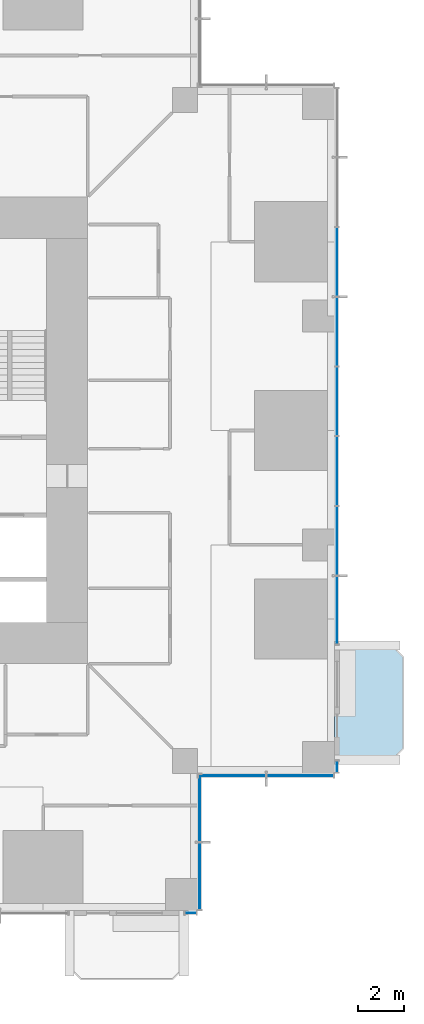
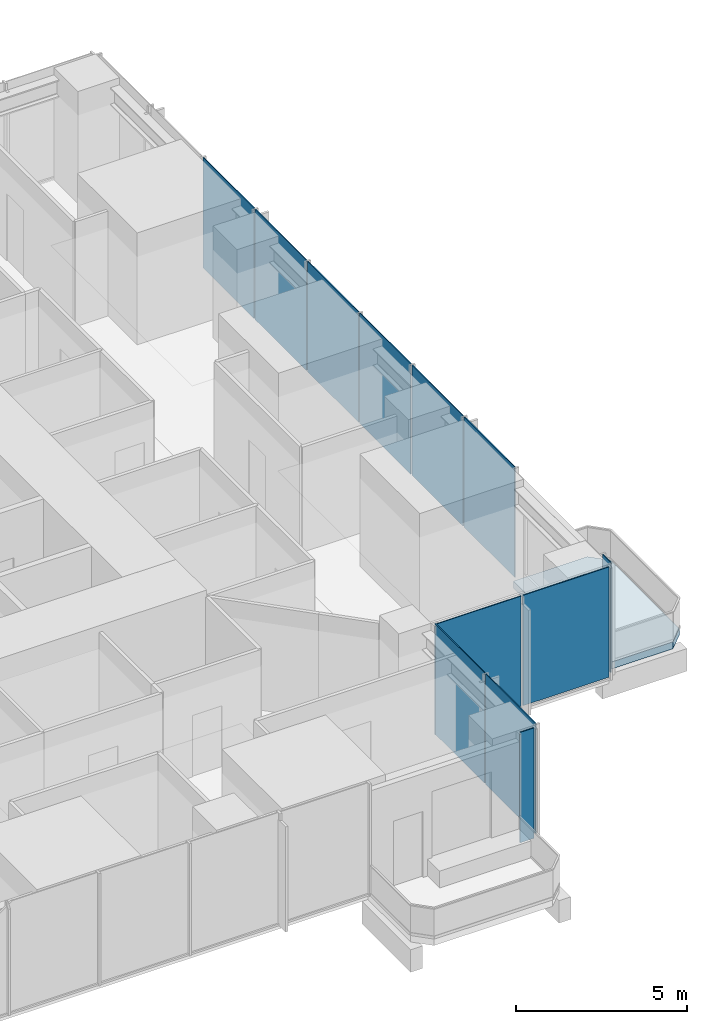
# One storey, part 8 of 16: 12 plates, 1 slab, 5 elements without a shape of their own.
"""IFC4 building model written with IfcOpenShell, lengths in metres."""

from ifc_helpers import new_model, si_unit, direction, frame, origin, origin_2d, place, context, subcontext, project, spatial, polyline, rectangle, outline, extrude, material, layer, layer_set, type_object, element, aggregate, save


model = new_model("IFC4")

# Units and contexts
model_context = context("Model", 3, precision=1e-05, world=origin(), true_north=direction((0.0, 1.0)))
body_context = subcontext(model_context, "Body", "Model", "MODEL_VIEW")
ifc_project = project(units=[si_unit("LENGTHUNIT", "METRE"), si_unit("AREAUNIT", "SQUARE_METRE"), si_unit("VOLUMEUNIT", "CUBIC_METRE"), si_unit("PLANEANGLEUNIT", "RADIAN"), si_unit("MASSUNIT", "GRAM", prefix="KILO")], contexts=[model_context])

# Site, building, storey
site_placement = place(None, origin())
site = spatial("IfcSite", under=ifc_project, at=site_placement, CompositionType="ELEMENT")
building_placement = place(site_placement, origin())
building = spatial("IfcBuilding", under=site, at=building_placement, Name="Svetlomir Tower", CompositionType="ELEMENT")
storey_placement = place(building_placement, frame((0.0, 0.0, 58.5)))
storey = spatial("IfcBuildingStorey", under=building, at=storey_placement, Name="L13", CompositionType="ELEMENT", Elevation=58.5)

# Slab
ifc_material_1 = material(Name="Concrete C60/75", Category="concrete")
ifc_layer_1 = layer(ifc_material_1, 0.25)
ifc_layer_set_1 = layer_set([ifc_layer_1], Name="Concrete C60/75")
slab_type = type_object("IfcSlabType", Name="BALCONY SLAB 250", PredefinedType="FLOOR", material=ifc_layer_set_1)
slab_placement = place(storey_placement, frame((0.0, 0.0, -0.25)))
element("IfcSlab", 1, at=slab_placement, inside=storey, type_object=slab_type, Name="L13 E planted balcony", PredefinedType="FLOOR", context=body_context, shape_type="SweptSolid", body=[
    extrude(outline(polyline([(42.0, 6.60009765625), (44.5, 6.60009765625), (45.0, 7.10009765625), (45.0, 11.10009765625), (44.5, 11.60009765625), (42.0, 11.60009765625), (42.0, 6.60009765625)])), origin(), (0.0, 0.0, 1.0), 0.25),
])

# Curtain wall, plate
ifc_material_2 = material(Name="Bronze anodised aluminium curtain wall", Category="aluminium")
curtain_wall_type = type_object("IfcCurtainWallType", Name="CURTAIN WALL CW1 TOWER OFFICE", PredefinedType="NOTDEFINED", material=ifc_material_2)
curtain_wall_1_placement = place(storey_placement, origin())
curtain_wall_1 = element("IfcCurtainWall", 2, at=curtain_wall_1_placement, inside=storey, type_object=curtain_wall_type, Name="Curtain wall CW1 L13", PredefinedType="NOTDEFINED")
ifc_material_3 = material(Name="Tinted double glazed unit", Category="glass")
ifc_layer_2 = layer(ifc_material_3, 0.031982421875)
ifc_layer_set_2 = layer_set([ifc_layer_2], Name="Tinted double glazed unit")
plate_type = type_object("IfcPlateType", Name="CW1 GLAZED PANEL 32", PredefinedType="CURTAIN_PANEL", material=ifc_layer_set_2)
plate_1_placement = place(storey_placement, frame((35.699951171875, -0.10009765625, 0.06494140625), z_axis=(0.0, 0.0, 1.0), x_axis=(1.0, 0.0, 0.0)))
plate_1 = element("IfcPlate", 3, at=plate_1_placement, type_object=plate_type, Name="CW1 panel 1.1", PredefinedType="CURTAIN_PANEL", context=body_context, shape_type="SweptSolid", body=[
    extrude(rectangle(XDim=0.469970703125, YDim=0.031982421875, at=origin_2d()), origin(), (0.0, 0.0, 1.0), 3.93505859375),
])
aggregate(curtain_wall_1, [plate_1])

# Curtain wall, plates
curtain_wall_2_placement = place(storey_placement, origin())
curtain_wall_2 = element("IfcCurtainWall", 4, at=curtain_wall_2_placement, inside=storey, type_object=curtain_wall_type, Name="Curtain wall CW1 L13", PredefinedType="NOTDEFINED")
plate_2_placement = place(storey_placement, frame((36.10009765625, 1.516357421875, 0.06494140625), z_axis=(0.0, 0.0, 1.0), x_axis=(0.0, 1.0, 0.0)))
plate_2 = element("IfcPlate", 5, at=plate_2_placement, type_object=plate_type, Name="CW1 panel 1.1", PredefinedType="CURTAIN_PANEL", context=body_context, shape_type="SweptSolid", body=[
    extrude(rectangle(XDim=2.902587890625, YDim=0.031982421875, at=origin_2d()), origin(), (0.0, 0.0, 1.0), 3.93505859375),
])
plate_3_placement = place(storey_placement, frame((36.10009765625, 4.483642578125, 0.06494140625), z_axis=(0.0, 0.0, 1.0), x_axis=(0.0, 1.0, 0.0)))
plate_3 = element("IfcPlate", 6, at=plate_3_placement, type_object=plate_type, Name="CW1 panel 2.1", PredefinedType="CURTAIN_PANEL", context=body_context, shape_type="SweptSolid", body=[
    extrude(rectangle(XDim=2.902587890625, YDim=0.031982421875, at=origin_2d()), origin(), (0.0, 0.0, 1.0), 3.93505859375),
])
aggregate(curtain_wall_2, [plate_2, plate_3])

curtain_wall_3_placement = place(storey_placement, origin())
curtain_wall_3 = element("IfcCurtainWall", 7, at=curtain_wall_3_placement, inside=storey, type_object=curtain_wall_type, Name="Curtain wall CW1 L13", PredefinedType="NOTDEFINED")
plate_4_placement = place(storey_placement, frame((37.516357421875, 5.89990234375, 0.06494140625), z_axis=(0.0, 0.0, 1.0), x_axis=(1.0, 0.0, 0.0)))
plate_4 = element("IfcPlate", 8, at=plate_4_placement, type_object=plate_type, Name="CW1 panel 1.1", PredefinedType="CURTAIN_PANEL", context=body_context, shape_type="SweptSolid", body=[
    extrude(rectangle(XDim=2.902587890625, YDim=0.031982421875, at=origin_2d()), origin(), (0.0, 0.0, 1.0), 3.93505859375),
])
plate_5_placement = place(storey_placement, frame((40.483642578125, 5.89990234375, 0.06494140625), z_axis=(0.0, 0.0, 1.0), x_axis=(1.0, 0.0, 0.0)))
plate_5 = element("IfcPlate", 9, at=plate_5_placement, type_object=plate_type, Name="CW1 panel 2.1", PredefinedType="CURTAIN_PANEL", context=body_context, shape_type="SweptSolid", body=[
    extrude(rectangle(XDim=2.902587890625, YDim=0.031982421875, at=origin_2d()), origin(), (0.0, 0.0, 1.0), 3.93505859375),
])
aggregate(curtain_wall_3, [plate_4, plate_5])

# Curtain wall, plate
curtain_wall_4_placement = place(storey_placement, origin())
curtain_wall_4 = element("IfcCurtainWall", 10, at=curtain_wall_4_placement, inside=storey, type_object=curtain_wall_type, Name="Curtain wall CW1 L13", PredefinedType="NOTDEFINED")
plate_6_placement = place(storey_placement, frame((42.10009765625, 6.300048828125, 0.06494140625), z_axis=(0.0, 0.0, 1.0), x_axis=(0.0, 1.0, 0.0)))
plate_6 = element("IfcPlate", 11, at=plate_6_placement, type_object=plate_type, Name="CW1 panel 1.1", PredefinedType="CURTAIN_PANEL", context=body_context, shape_type="SweptSolid", body=[
    extrude(rectangle(XDim=0.469970703125, YDim=0.031982421875, at=origin_2d()), origin(), (0.0, 0.0, 1.0), 3.93505859375),
])
aggregate(curtain_wall_4, [plate_6])

# Curtain wall, plates
curtain_wall_5_placement = place(storey_placement, origin())
curtain_wall_5 = element("IfcCurtainWall", 12, at=curtain_wall_5_placement, inside=storey, type_object=curtain_wall_type, Name="Curtain wall CW1 L13", PredefinedType="NOTDEFINED")
plate_7_placement = place(storey_placement, frame((42.10009765625, 13.141357421875, 0.06494140625), z_axis=(0.0, 0.0, 1.0), x_axis=(0.0, 1.0, 0.0)))
plate_7 = element("IfcPlate", 13, at=plate_7_placement, type_object=plate_type, Name="CW1 panel 1.1", PredefinedType="CURTAIN_PANEL", context=body_context, shape_type="SweptSolid", body=[
    extrude(rectangle(XDim=2.952392578125, YDim=0.031982421875, at=origin_2d()), origin(), (0.0, 0.0, 1.0), 3.93505859375),
])
plate_8_placement = place(storey_placement, frame((42.10009765625, 16.175048828125, 0.06494140625), z_axis=(0.0, 0.0, 1.0), x_axis=(0.0, 1.0, 0.0)))
plate_8 = element("IfcPlate", 14, at=plate_8_placement, type_object=plate_type, Name="CW1 panel 2.1", PredefinedType="CURTAIN_PANEL", context=body_context, shape_type="SweptSolid", body=[
    extrude(rectangle(XDim=2.985107421875, YDim=0.031982421875, at=origin_2d()), origin(), (0.0, 0.0, 1.0), 3.93505859375),
])
plate_9_placement = place(storey_placement, frame((42.10009765625, 19.22509765625, 0.06494140625), z_axis=(0.0, 0.0, 1.0), x_axis=(0.0, 1.0, 0.0)))
plate_9 = element("IfcPlate", 15, at=plate_9_placement, type_object=plate_type, Name="CW1 panel 3.1", PredefinedType="CURTAIN_PANEL", context=body_context, shape_type="SweptSolid", body=[
    extrude(rectangle(XDim=2.985107421875, YDim=0.031982421875, at=origin_2d()), origin(), (0.0, 0.0, 1.0), 3.93505859375),
])
plate_10_placement = place(storey_placement, frame((42.10009765625, 22.27490234375, 0.06494140625), z_axis=(0.0, 0.0, 1.0), x_axis=(0.0, 1.0, 0.0)))
plate_10 = element("IfcPlate", 16, at=plate_10_placement, type_object=plate_type, Name="CW1 panel 4.1", PredefinedType="CURTAIN_PANEL", context=body_context, shape_type="SweptSolid", body=[
    extrude(rectangle(XDim=2.985107421875, YDim=0.031982421875, at=origin_2d()), origin(), (0.0, 0.0, 1.0), 3.93505859375),
])
plate_11_placement = place(storey_placement, frame((42.10009765625, 25.324951171875, 0.06494140625), z_axis=(0.0, 0.0, 1.0), x_axis=(0.0, 1.0, 0.0)))
plate_11 = element("IfcPlate", 17, at=plate_11_placement, type_object=plate_type, Name="CW1 panel 5.1", PredefinedType="CURTAIN_PANEL", context=body_context, shape_type="SweptSolid", body=[
    extrude(rectangle(XDim=2.985107421875, YDim=0.031982421875, at=origin_2d()), origin(), (0.0, 0.0, 1.0), 3.93505859375),
])
plate_12_placement = place(storey_placement, frame((42.10009765625, 28.375, 0.06494140625), z_axis=(0.0, 0.0, 1.0), x_axis=(0.0, 1.0, 0.0)))
plate_12 = element("IfcPlate", 18, at=plate_12_placement, type_object=plate_type, Name="CW1 panel 6.1", PredefinedType="CURTAIN_PANEL", context=body_context, shape_type="SweptSolid", body=[
    extrude(rectangle(XDim=2.985107421875, YDim=0.031982421875, at=origin_2d()), origin(), (0.0, 0.0, 1.0), 3.93505859375),
])
aggregate(curtain_wall_5, [plate_7, plate_8, plate_9, plate_10, plate_11, plate_12])

save(model, "model.ifc")
